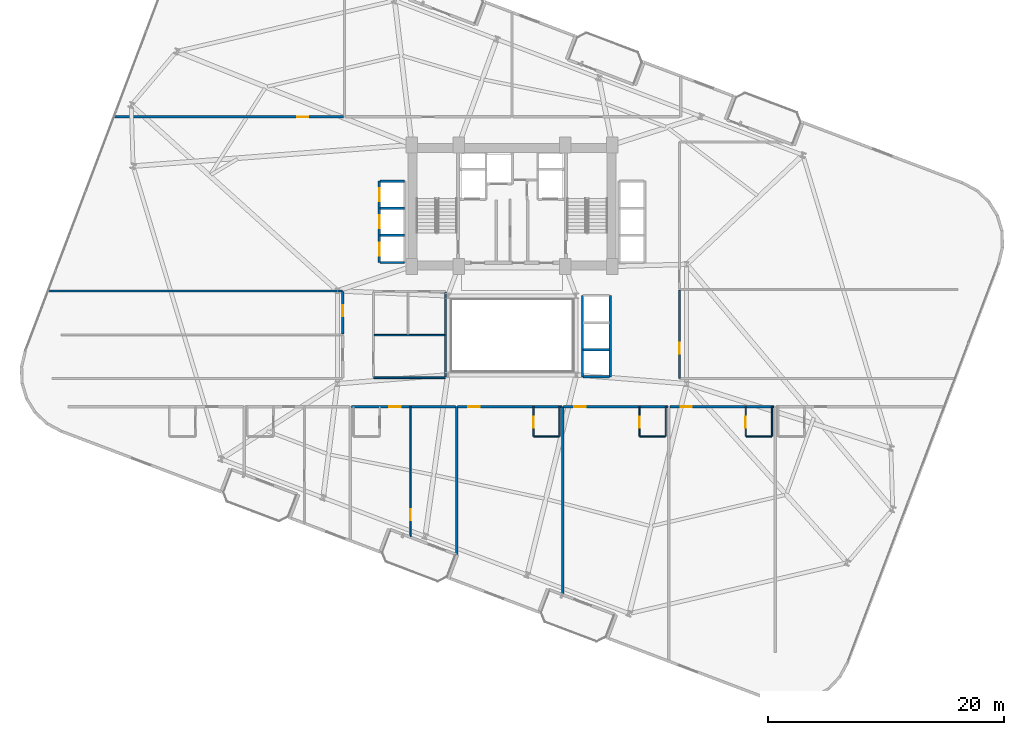
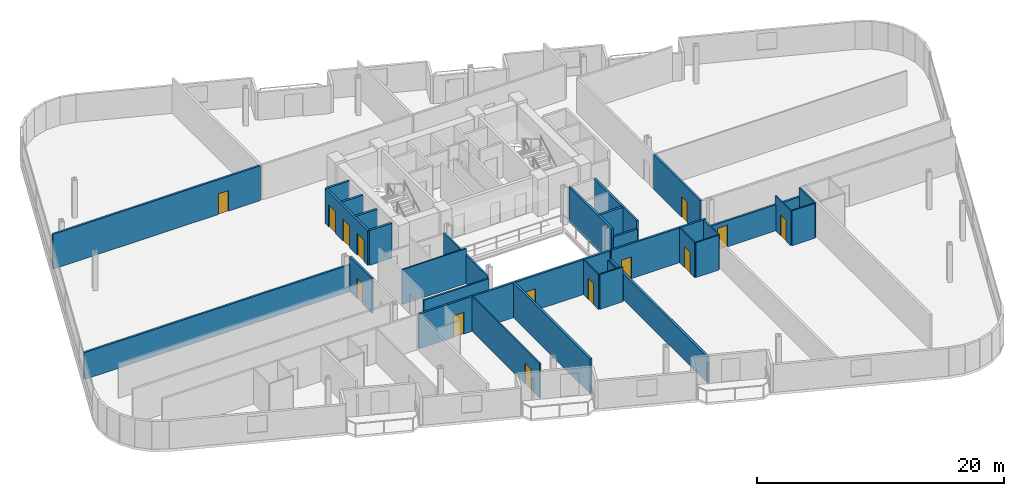
# One storey, part 18 of 25: 32 walls, 14 doors, 14 openings.
"""IFC4 building model written with IfcOpenShell, lengths in metres."""

from ifc_helpers import new_model, si_unit, direction, frame, frame_2d, origin, place, context, subcontext, project, spatial, rectangle, extrude, material, layer, layer_set, type_object, element, fill, save


model = new_model("IFC4")

# Units and contexts
model_context = context("Model", 3, precision=1e-05, world=origin(), true_north=direction((0.0, 1.0)))
body_context = subcontext(model_context, "Body", "Model", "MODEL_VIEW")
ifc_project = project(units=[si_unit("LENGTHUNIT", "METRE"), si_unit("AREAUNIT", "SQUARE_METRE"), si_unit("VOLUMEUNIT", "CUBIC_METRE"), si_unit("PLANEANGLEUNIT", "RADIAN"), si_unit("MASSUNIT", "GRAM", prefix="KILO")], contexts=[model_context])

# Site, building, storey
site_placement = place(None, origin())
site = spatial("IfcSite", under=ifc_project, at=site_placement, CompositionType="ELEMENT")
building_placement = place(site_placement, origin())
building = spatial("IfcBuilding", under=site, at=building_placement, Name="Varnelok Gate Tower", CompositionType="ELEMENT")
storey_placement = place(building_placement, frame((0.0, 0.0, 79.89990234375)))
storey = spatial("IfcBuildingStorey", under=building, at=storey_placement, Name="L19", CompositionType="ELEMENT", Elevation=79.89990234375)

# Wall, opening, door
ifc_material_1 = material(Name="Gypsum Plasterboard Acoustic Partition", Category="gypsum")
ifc_layer_1 = layer(ifc_material_1, 0.179931640625)
ifc_layer_set_1 = layer_set([ifc_layer_1], Name="Gypsum Plasterboard Acoustic Partition")
wall_type_1 = type_object("IfcWallType", Name="PW-CORR-180", PredefinedType="PARTITIONING", material=ifc_layer_set_1)
wall_1_placement = place(storey_placement, frame((25.580078125, 16.85009765625, 0.0), z_axis=(0.0, 0.0, 1.0), x_axis=(1.0, 0.0, 0.0)))
wall_1 = element("IfcWall", 1, at=wall_1_placement, inside=storey, type_object=wall_type_1, Name="Interior Partition", PredefinedType="PARTITIONING", context=body_context, shape_type="SweptSolid", body=[
    extrude(rectangle(XDim=8.83984375, YDim=0.179931640625, at=frame_2d((4.419921875, 0.0))), origin(), (0.0, 0.0, 1.0), 3.4501953125),
])
opening_1_placement = place(wall_1_placement, frame((3.22998046875, 0.0, 0.0)))
opening_1 = element("IfcOpeningElement", 2, at=opening_1_placement, cuts=wall_1, Name="Opening D-HT", PredefinedType="OPENING", context=body_context, shape_type="SweptSolid", body=[
    extrude(rectangle(XDim=0.949951171875, YDim=2.14990234375, at=frame_2d((0.47509765625, 1.074951171875))), frame((0.0, 0.099853515625, 0.0), z_axis=(0.0, -1.0, 0.0), x_axis=(1.0, 0.0, 0.0)), (0.0, 0.0, 1.0), 0.199951171875),
])
ifc_material_2 = material(Name="Engineered Hardwood Timber", Category="wood")
door_type_1 = type_object("IfcDoorType", Name="DR-HTL-950", OperationType="NOTDEFINED", PredefinedType="DOOR", material=ifc_material_2)
door_1_placement = place(opening_1_placement, origin())
door_1 = element("IfcDoor", 3, at=door_1_placement, inside=storey, type_object=door_type_1, Name="L19 Guest Room 03 Entrance Door", OperationType="SINGLE_SWING_RIGHT", OverallHeight=2.14990234375, OverallWidth=0.949951171875, PredefinedType="DOOR", context=body_context, shape_type="SweptSolid", body=[
    extrude(rectangle(XDim=0.949951171875, YDim=2.14990234375, at=frame_2d((0.47509765625, 1.074951171875))), frame((0.0, 0.02490234375, 0.0), z_axis=(0.0, -1.0, 0.0), x_axis=(1.0, 0.0, 0.0)), (0.0, 0.0, 1.0), 0.050048828125),
])
fill(opening_1, door_1)

wall_2_placement = place(storey_placement, frame((34.580078125, 16.85009765625, 0.0), z_axis=(0.0, 0.0, 1.0), x_axis=(1.0, 0.0, 0.0)))
wall_2 = element("IfcWall", 4, at=wall_2_placement, inside=storey, type_object=wall_type_1, Name="Interior Partition", PredefinedType="PARTITIONING", context=body_context, shape_type="SweptSolid", body=[
    extrude(rectangle(XDim=8.83984375, YDim=0.179931640625, at=frame_2d((4.419921875, 0.0))), origin(), (0.0, 0.0, 1.0), 3.4501953125),
])
opening_2_placement = place(wall_2_placement, frame((0.91796875, 0.0, 0.0)))
opening_2 = element("IfcOpeningElement", 5, at=opening_2_placement, cuts=wall_2, Name="Opening D-HT", PredefinedType="OPENING", context=body_context, shape_type="SweptSolid", body=[
    extrude(rectangle(XDim=0.949951171875, YDim=2.14990234375, at=frame_2d((0.47509765625, 1.074951171875))), frame((0.0, 0.099853515625, 0.0), z_axis=(0.0, -1.0, 0.0), x_axis=(1.0, 0.0, 0.0)), (0.0, 0.0, 1.0), 0.199951171875),
])
door_2_placement = place(opening_2_placement, origin())
door_2 = element("IfcDoor", 6, at=door_2_placement, inside=storey, type_object=door_type_1, Name="L19 Guest Room 04 Entrance Door", OperationType="SINGLE_SWING_LEFT", OverallHeight=2.14990234375, OverallWidth=0.949951171875, PredefinedType="DOOR", context=body_context, shape_type="SweptSolid", body=[
    extrude(rectangle(XDim=0.949951171875, YDim=2.14990234375, at=frame_2d((0.47509765625, 1.074951171875))), frame((0.0, 0.02490234375, 0.0), z_axis=(0.0, -1.0, 0.0), x_axis=(1.0, 0.0, 0.0)), (0.0, 0.0, 1.0), 0.050048828125),
])
fill(opening_2, door_2)

wall_3_placement = place(storey_placement, frame((43.580078125, 16.85009765625, 0.0), z_axis=(0.0, 0.0, 1.0), x_axis=(1.0, 0.0, 0.0)))
wall_3 = element("IfcWall", 7, at=wall_3_placement, inside=storey, type_object=wall_type_1, Name="Interior Partition", PredefinedType="PARTITIONING", context=body_context, shape_type="SweptSolid", body=[
    extrude(rectangle(XDim=8.83984375, YDim=0.179931640625, at=frame_2d((4.419921875, 0.0))), origin(), (0.0, 0.0, 1.0), 3.4501953125),
])
opening_3_placement = place(wall_3_placement, frame((0.91796875, 0.0, 0.0)))
opening_3 = element("IfcOpeningElement", 8, at=opening_3_placement, cuts=wall_3, Name="Opening D-HT", PredefinedType="OPENING", context=body_context, shape_type="SweptSolid", body=[
    extrude(rectangle(XDim=0.949951171875, YDim=2.14990234375, at=frame_2d((0.47509765625, 1.074951171875))), frame((0.0, 0.099853515625, 0.0), z_axis=(0.0, -1.0, 0.0), x_axis=(1.0, 0.0, 0.0)), (0.0, 0.0, 1.0), 0.199951171875),
])
door_3_placement = place(opening_3_placement, origin())
door_3 = element("IfcDoor", 9, at=door_3_placement, inside=storey, type_object=door_type_1, Name="L19 Guest Room 05 Entrance Door", OperationType="SINGLE_SWING_RIGHT", OverallHeight=2.14990234375, OverallWidth=0.949951171875, PredefinedType="DOOR", context=body_context, shape_type="SweptSolid", body=[
    extrude(rectangle(XDim=0.949951171875, YDim=2.14990234375, at=frame_2d((0.47509765625, 1.074951171875))), frame((0.0, 0.02490234375, 0.0), z_axis=(0.0, -1.0, 0.0), x_axis=(1.0, 0.0, 0.0)), (0.0, 0.0, 1.0), 0.050048828125),
])
fill(opening_3, door_3)

wall_4_placement = place(storey_placement, frame((52.580078125, 16.85009765625, 0.0), z_axis=(0.0, 0.0, 1.0), x_axis=(1.0, 0.0, 0.0)))
wall_4 = element("IfcWall", 10, at=wall_4_placement, inside=storey, type_object=wall_type_1, Name="Interior Partition", PredefinedType="PARTITIONING", context=body_context, shape_type="SweptSolid", body=[
    extrude(rectangle(XDim=8.83984375, YDim=0.179931640625, at=frame_2d((4.419921875, 0.0))), origin(), (0.0, 0.0, 1.0), 2.580078125),
])
opening_4_placement = place(wall_4_placement, frame((0.91796875, 0.0, 0.0)))
opening_4 = element("IfcOpeningElement", 11, at=opening_4_placement, cuts=wall_4, Name="Opening D-HT", PredefinedType="OPENING", context=body_context, shape_type="SweptSolid", body=[
    extrude(rectangle(XDim=0.949951171875, YDim=2.14990234375, at=frame_2d((0.47509765625, 1.074951171875))), frame((0.0, 0.099853515625, 0.0), z_axis=(0.0, -1.0, 0.0), x_axis=(1.0, 0.0, 0.0)), (0.0, 0.0, 1.0), 0.199951171875),
])
door_4_placement = place(opening_4_placement, origin())
door_4 = element("IfcDoor", 12, at=door_4_placement, inside=storey, type_object=door_type_1, Name="L19 Guest Room 06 Entrance Door", OperationType="SINGLE_SWING_LEFT", OverallHeight=2.14990234375, OverallWidth=0.949951171875, PredefinedType="DOOR", context=body_context, shape_type="SweptSolid", body=[
    extrude(rectangle(XDim=0.949951171875, YDim=2.14990234375, at=frame_2d((0.47509765625, 1.074951171875))), frame((0.0, 0.02490234375, 0.0), z_axis=(0.0, -1.0, 0.0), x_axis=(1.0, 0.0, 0.0)), (0.0, 0.0, 1.0), 0.050048828125),
])
fill(opening_4, door_4)

wall_5_placement = place(storey_placement, frame((5.505859375, 41.429931640625, 0.0), z_axis=(0.0, 0.0, 1.0), x_axis=(1.0, 0.0, 0.0)))
wall_5 = element("IfcWall", 13, at=wall_5_placement, inside=storey, type_object=wall_type_1, Name="Interior Partition", PredefinedType="PARTITIONING", context=body_context, shape_type="SweptSolid", body=[
    extrude(rectangle(XDim=19.4140625, YDim=0.179931640625, at=frame_2d((9.70703125, 0.0))), origin(), (0.0, 0.0, 1.0), 3.4501953125),
])
opening_5_placement = place(wall_5_placement, frame((15.46923828125, 0.0, 0.0)))
opening_5 = element("IfcOpeningElement", 14, at=opening_5_placement, cuts=wall_5, Name="Opening D-I2", PredefinedType="OPENING", context=body_context, shape_type="SweptSolid", body=[
    extrude(rectangle(XDim=0.949951171875, YDim=2.050048828125, at=frame_2d((0.47509765625, 1.02490234375))), frame((0.0, 0.099853515625, 0.0), z_axis=(0.0, -1.0, 0.0), x_axis=(1.0, 0.0, 0.0)), (0.0, 0.0, 1.0), 0.199951171875),
])
door_type_2 = type_object("IfcDoorType", Name="DR-INT-950", OperationType="NOTDEFINED", PredefinedType="DOOR", material=ifc_material_2)
door_5_placement = place(opening_5_placement, origin())
door_5 = element("IfcDoor", 15, at=door_5_placement, inside=storey, type_object=door_type_2, Name="L19 Spa Treatment Suite Door", OperationType="SINGLE_SWING_LEFT", OverallHeight=2.050048828125, OverallWidth=0.949951171875, PredefinedType="DOOR", context=body_context, shape_type="SweptSolid", body=[
    extrude(rectangle(XDim=0.949951171875, YDim=2.050048828125, at=frame_2d((0.47509765625, 1.02490234375))), frame((0.0, 0.02490234375, 0.0), z_axis=(0.0, -1.0, 0.0), x_axis=(1.0, 0.0, 0.0)), (0.0, 0.0, 1.0), 0.050048828125),
])
fill(opening_5, door_5)

wall_6_placement = place(storey_placement, frame((24.85009765625, 23.030029296875, 0.0), z_axis=(0.0, 0.0, 1.0), x_axis=(0.0, 1.0, 0.0)))
wall_6 = element("IfcWall", 16, at=wall_6_placement, inside=storey, type_object=wall_type_1, Name="Interior Partition", PredefinedType="PARTITIONING", context=body_context, shape_type="SweptSolid", body=[
    extrude(rectangle(XDim=3.570068359375, YDim=0.179931640625, at=frame_2d((1.78515625, 0.0))), origin(), (0.0, 0.0, 1.0), 3.4501953125),
])
opening_6_placement = place(wall_6_placement, frame((1.49951171875, 0.0, 0.0)))
opening_6 = element("IfcOpeningElement", 17, at=opening_6_placement, cuts=wall_6, Name="Opening D-I3", PredefinedType="OPENING", context=body_context, shape_type="SweptSolid", body=[
    extrude(rectangle(XDim=0.919921875, YDim=2.050048828125, at=frame_2d((0.4599609375, 1.02490234375))), frame((0.0, 0.099853515625, 0.0), z_axis=(0.0, -1.0, 0.0), x_axis=(1.0, 0.0, 0.0)), (0.0, 0.0, 1.0), 0.199951171875),
])
door_type_3 = type_object("IfcDoorType", Name="DR-INT-920", OperationType="NOTDEFINED", PredefinedType="DOOR", material=ifc_material_2)
door_6_placement = place(opening_6_placement, origin())
door_6 = element("IfcDoor", 18, at=door_6_placement, inside=storey, type_object=door_type_3, Name="L19 West Wing Room 2 Door", OperationType="SINGLE_SWING_RIGHT", OverallHeight=2.050048828125, OverallWidth=0.919921875, PredefinedType="DOOR", context=body_context, shape_type="SweptSolid", body=[
    extrude(rectangle(XDim=0.919921875, YDim=2.050048828125, at=frame_2d((0.4599609375, 1.02490234375))), frame((0.0, 0.02490234375, 0.0), z_axis=(0.0, -1.0, 0.0), x_axis=(1.0, 0.0, 0.0)), (0.0, 0.0, 1.0), 0.050048828125),
])
fill(opening_6, door_6)

# Wall
wall_7_placement = place(storey_placement, frame((-0.0859375, 26.659912109375, 0.0), z_axis=(0.0, 0.0, 1.0), x_axis=(1.0, 0.0, 0.0)))
element("IfcWall", 19, at=wall_7_placement, inside=storey, type_object=wall_type_1, Name="Interior Partition", PredefinedType="PARTITIONING", context=body_context, shape_type="SweptSolid", body=[
    extrude(rectangle(XDim=24.93603515625, YDim=0.179931640625, at=frame_2d((12.468017578125, 0.0))), origin(), (0.0, 0.0, 1.0), 2.662109375),
])

# Wall, opening, door
wall_8_placement = place(storey_placement, frame((53.389892578125, 19.239990234375, 0.0), z_axis=(0.0, 0.0, 1.0), x_axis=(0.0, 1.0, 0.0)))
wall_8 = element("IfcWall", 20, at=wall_8_placement, inside=storey, type_object=wall_type_1, Name="Interior Partition", PredefinedType="PARTITIONING", context=body_context, shape_type="SweptSolid", body=[
    extrude(rectangle(XDim=7.52001953125, YDim=0.179931640625, at=frame_2d((3.760009765625, 0.0))), origin(), (0.0, 0.0, 1.0), 3.4501953125),
])
opening_7_placement = place(wall_8_placement, frame((2.10009765625, 0.0, 0.0)))
opening_7 = element("IfcOpeningElement", 21, at=opening_7_placement, cuts=wall_8, Name="Opening D-I3", PredefinedType="OPENING", context=body_context, shape_type="SweptSolid", body=[
    extrude(rectangle(XDim=0.919921875, YDim=2.050048828125, at=frame_2d((0.4599609375, 1.02490234375))), frame((0.0, 0.099853515625, 0.0), z_axis=(0.0, -1.0, 0.0), x_axis=(1.0, 0.0, 0.0)), (0.0, 0.0, 1.0), 0.199951171875),
])
door_7_placement = place(opening_7_placement, origin())
door_7 = element("IfcDoor", 22, at=door_7_placement, inside=storey, type_object=door_type_3, Name="L19 East Studio Door", OperationType="SINGLE_SWING_RIGHT", OverallHeight=2.050048828125, OverallWidth=0.919921875, PredefinedType="DOOR", context=body_context, shape_type="SweptSolid", body=[
    extrude(rectangle(XDim=0.919921875, YDim=2.050048828125, at=frame_2d((0.4599609375, 1.02490234375))), frame((0.0, 0.02490234375, 0.0), z_axis=(0.0, -1.0, 0.0), x_axis=(1.0, 0.0, 0.0)), (0.0, 0.0, 1.0), 0.050048828125),
])
fill(opening_7, door_7)

# Wall
ifc_layer_2 = layer(ifc_material_1, 0.114990234375)
ifc_layer_set_2 = layer_set([ifc_layer_2], Name="Gypsum Plasterboard Acoustic Partition")
wall_type_2 = type_object("IfcWallType", Name="PW-ENS-125", PredefinedType="PARTITIONING", material=ifc_layer_set_2)
wall_9_placement = place(storey_placement, frame((41.050048828125, 14.330078125, 0.0), z_axis=(0.0, 0.0, 1.0), x_axis=(1.0, 0.0, 0.0)))
element("IfcWall", 23, at=wall_9_placement, inside=storey, type_object=wall_type_2, Name="Interior Partition", PredefinedType="PARTITIONING", context=body_context, shape_type="SweptSolid", body=[
    extrude(rectangle(XDim=2.14990234375, YDim=0.114990234375, at=frame_2d((1.074951171875, 0.0))), origin(), (0.0, 0.0, 1.0), 3.4501953125),
])

# Wall, opening, door
wall_10_placement = place(storey_placement, frame((41.010009765625, 14.330078125, 0.0), z_axis=(0.0, 0.0, 1.0), x_axis=(0.0, 1.0, 0.0)))
wall_10 = element("IfcWall", 24, at=wall_10_placement, inside=storey, type_object=wall_type_2, Name="Interior Partition", PredefinedType="PARTITIONING", context=body_context, shape_type="SweptSolid", body=[
    extrude(rectangle(XDim=2.52001953125, YDim=0.114990234375, at=frame_2d((1.260009765625, 0.0))), origin(), (0.0, 0.0, 1.0), 3.4501953125),
])
opening_8_placement = place(wall_10_placement, frame((0.760009765625, 0.0, 0.0)))
opening_8 = element("IfcOpeningElement", 25, at=opening_8_placement, cuts=wall_10, Name="Opening D-WC", PredefinedType="OPENING", context=body_context, shape_type="SweptSolid", body=[
    extrude(rectangle(XDim=0.89990234375, YDim=2.050048828125, at=frame_2d((0.449951171875, 1.02490234375))), frame((0.0, 0.0673828125, 0.0), z_axis=(0.0, -1.0, 0.0), x_axis=(1.0, 0.0, 0.0)), (0.0, 0.0, 1.0), 0.135009765625),
])
door_type_4 = type_object("IfcDoorType", Name="DR-BATH-900", OperationType="NOTDEFINED", PredefinedType="DOOR", material=ifc_material_2)
door_8_placement = place(opening_8_placement, origin())
door_8 = element("IfcDoor", 26, at=door_8_placement, inside=storey, type_object=door_type_4, Name="L19 Guest En-Suite 04 Door", OperationType="SINGLE_SWING_RIGHT", OverallHeight=2.050048828125, OverallWidth=0.89990234375, PredefinedType="DOOR", context=body_context, shape_type="SweptSolid", body=[
    extrude(rectangle(XDim=0.89990234375, YDim=2.050048828125, at=frame_2d((0.449951171875, 1.02490234375))), frame((0.0, 0.02490234375, 0.0), z_axis=(0.0, -1.0, 0.0), x_axis=(1.0, 0.0, 0.0)), (0.0, 0.0, 1.0), 0.050048828125),
])
fill(opening_8, door_8)

# Walls
wall_11_placement = place(storey_placement, frame((43.239990234375, 14.330078125, 0.0), z_axis=(0.0, 0.0, 1.0), x_axis=(0.0, 1.0, 0.0)))
element("IfcWall", 27, at=wall_11_placement, inside=storey, type_object=wall_type_2, Name="Interior Partition", PredefinedType="PARTITIONING", context=body_context, shape_type="SweptSolid", body=[
    extrude(rectangle(XDim=2.52001953125, YDim=0.114990234375, at=frame_2d((1.260009765625, 0.0))), origin(), (0.0, 0.0, 1.0), 2.580078125),
])
wall_12_placement = place(storey_placement, frame((50.050048828125, 14.330078125, 0.0), z_axis=(0.0, 0.0, 1.0), x_axis=(1.0, 0.0, 0.0)))
element("IfcWall", 28, at=wall_12_placement, inside=storey, type_object=wall_type_2, Name="Interior Partition", PredefinedType="PARTITIONING", context=body_context, shape_type="SweptSolid", body=[
    extrude(rectangle(XDim=2.14990234375, YDim=0.114990234375, at=frame_2d((1.074951171875, 0.0))), origin(), (0.0, 0.0, 1.0), 3.4501953125),
])

# Wall, opening, door
wall_13_placement = place(storey_placement, frame((50.010009765625, 14.330078125, 0.0), z_axis=(0.0, 0.0, 1.0), x_axis=(0.0, 1.0, 0.0)))
wall_13 = element("IfcWall", 29, at=wall_13_placement, inside=storey, type_object=wall_type_2, Name="Interior Partition", PredefinedType="PARTITIONING", context=body_context, shape_type="SweptSolid", body=[
    extrude(rectangle(XDim=2.52001953125, YDim=0.114990234375, at=frame_2d((1.260009765625, 0.0))), origin(), (0.0, 0.0, 1.0), 3.4501953125),
])
opening_9_placement = place(wall_13_placement, frame((0.760009765625, 0.0, 0.0)))
opening_9 = element("IfcOpeningElement", 30, at=opening_9_placement, cuts=wall_13, Name="Opening D-WC", PredefinedType="OPENING", context=body_context, shape_type="SweptSolid", body=[
    extrude(rectangle(XDim=0.89990234375, YDim=2.050048828125, at=frame_2d((0.449951171875, 1.02490234375))), frame((0.0, 0.0673828125, 0.0), z_axis=(0.0, -1.0, 0.0), x_axis=(1.0, 0.0, 0.0)), (0.0, 0.0, 1.0), 0.135009765625),
])
door_9_placement = place(opening_9_placement, origin())
door_9 = element("IfcDoor", 31, at=door_9_placement, inside=storey, type_object=door_type_4, Name="L19 Guest En-Suite 05 Door", OperationType="SINGLE_SWING_RIGHT", OverallHeight=2.050048828125, OverallWidth=0.89990234375, PredefinedType="DOOR", context=body_context, shape_type="SweptSolid", body=[
    extrude(rectangle(XDim=0.89990234375, YDim=2.050048828125, at=frame_2d((0.449951171875, 1.02490234375))), frame((0.0, 0.02490234375, 0.0), z_axis=(0.0, -1.0, 0.0), x_axis=(1.0, 0.0, 0.0)), (0.0, 0.0, 1.0), 0.050048828125),
])
fill(opening_9, door_9)

# Walls
wall_14_placement = place(storey_placement, frame((52.239990234375, 14.330078125, 0.0), z_axis=(0.0, 0.0, 1.0), x_axis=(0.0, 1.0, 0.0)))
element("IfcWall", 32, at=wall_14_placement, inside=storey, type_object=wall_type_2, Name="Interior Partition", PredefinedType="PARTITIONING", context=body_context, shape_type="SweptSolid", body=[
    extrude(rectangle(XDim=2.52001953125, YDim=0.114990234375, at=frame_2d((1.260009765625, 0.0))), origin(), (0.0, 0.0, 1.0), 3.4501953125),
])
wall_15_placement = place(storey_placement, frame((59.050048828125, 14.330078125, 0.0), z_axis=(0.0, 0.0, 1.0), x_axis=(1.0, 0.0, 0.0)))
element("IfcWall", 33, at=wall_15_placement, inside=storey, type_object=wall_type_2, Name="Interior Partition", PredefinedType="PARTITIONING", context=body_context, shape_type="SweptSolid", body=[
    extrude(rectangle(XDim=2.14990234375, YDim=0.114990234375, at=frame_2d((1.074951171875, 0.0))), origin(), (0.0, 0.0, 1.0), 3.4501953125),
])

# Wall, opening, door
wall_16_placement = place(storey_placement, frame((59.010009765625, 14.330078125, 0.0), z_axis=(0.0, 0.0, 1.0), x_axis=(0.0, 1.0, 0.0)))
wall_16 = element("IfcWall", 34, at=wall_16_placement, inside=storey, type_object=wall_type_2, Name="Interior Partition", PredefinedType="PARTITIONING", context=body_context, shape_type="SweptSolid", body=[
    extrude(rectangle(XDim=2.52001953125, YDim=0.114990234375, at=frame_2d((1.260009765625, 0.0))), origin(), (0.0, 0.0, 1.0), 3.4501953125),
])
opening_10_placement = place(wall_16_placement, frame((0.760009765625, 0.0, 0.0)))
opening_10 = element("IfcOpeningElement", 35, at=opening_10_placement, cuts=wall_16, Name="Opening D-WC", PredefinedType="OPENING", context=body_context, shape_type="SweptSolid", body=[
    extrude(rectangle(XDim=0.89990234375, YDim=2.050048828125, at=frame_2d((0.449951171875, 1.02490234375))), frame((0.0, 0.0673828125, 0.0), z_axis=(0.0, -1.0, 0.0), x_axis=(1.0, 0.0, 0.0)), (0.0, 0.0, 1.0), 0.135009765625),
])
door_10_placement = place(opening_10_placement, origin())
door_10 = element("IfcDoor", 36, at=door_10_placement, inside=storey, type_object=door_type_4, Name="L19 Guest En-Suite 06 Door", OperationType="SINGLE_SWING_RIGHT", OverallHeight=2.050048828125, OverallWidth=0.89990234375, PredefinedType="DOOR", context=body_context, shape_type="SweptSolid", body=[
    extrude(rectangle(XDim=0.89990234375, YDim=2.050048828125, at=frame_2d((0.449951171875, 1.02490234375))), frame((0.0, 0.02490234375, 0.0), z_axis=(0.0, -1.0, 0.0), x_axis=(1.0, 0.0, 0.0)), (0.0, 0.0, 1.0), 0.050048828125),
])
fill(opening_10, door_10)

# Wall
wall_17_placement = place(storey_placement, frame((61.239990234375, 14.330078125, 0.0), z_axis=(0.0, 0.0, 1.0), x_axis=(0.0, 1.0, 0.0)))
element("IfcWall", 37, at=wall_17_placement, inside=storey, type_object=wall_type_2, Name="Interior Partition", PredefinedType="PARTITIONING", context=body_context, shape_type="SweptSolid", body=[
    extrude(rectangle(XDim=2.52001953125, YDim=0.114990234375, at=frame_2d((1.260009765625, 0.0))), origin(), (0.0, 0.0, 1.0), 3.4501953125),
])

# Wall, opening, door
ifc_layer_3 = layer(ifc_material_1, 0.125)
ifc_layer_set_3 = layer_set([ifc_layer_3], Name="Gypsum Plasterboard Acoustic Partition")
wall_type_3 = type_object("IfcWallType", Name="PW-PART-125", PredefinedType="PARTITIONING", material=ifc_layer_set_3)
wall_18_placement = place(storey_placement, frame((30.60009765625, 5.8232421875, 0.0), z_axis=(0.0, 0.0, 1.0), x_axis=(0.0, 1.0, 0.0)))
wall_18 = element("IfcWall", 38, at=wall_18_placement, inside=storey, type_object=wall_type_3, Name="Interior Partition", PredefinedType="PARTITIONING", context=body_context, shape_type="SweptSolid", body=[
    extrude(rectangle(XDim=11.02685546875, YDim=0.125, at=frame_2d((5.513427734375, 0.0))), origin(), (0.0, 0.0, 1.0), 3.4501953125),
])
opening_11_placement = place(wall_18_placement, frame((1.42041015625, 0.0, 0.0)))
opening_11 = element("IfcOpeningElement", 39, at=opening_11_placement, cuts=wall_18, Name="Opening D-I3", PredefinedType="OPENING", context=body_context, shape_type="SweptSolid", body=[
    extrude(rectangle(XDim=0.919921875, YDim=2.050048828125, at=frame_2d((0.4599609375, 1.02490234375))), frame((0.0, 0.072509765625, 0.0), z_axis=(0.0, -1.0, 0.0), x_axis=(1.0, 0.0, 0.0)), (0.0, 0.0, 1.0), 0.14501953125),
])
door_11_placement = place(opening_11_placement, origin())
door_11 = element("IfcDoor", 40, at=door_11_placement, inside=storey, type_object=door_type_3, Name="L19 Suite Bedroom Door 3", OperationType="SINGLE_SWING_LEFT", OverallHeight=2.050048828125, OverallWidth=0.919921875, PredefinedType="DOOR", context=body_context, shape_type="SweptSolid", body=[
    extrude(rectangle(XDim=0.919921875, YDim=2.050048828125, at=frame_2d((0.4599609375, 1.02490234375))), frame((0.0, 0.02490234375, 0.0), z_axis=(0.0, -1.0, 0.0), x_axis=(1.0, 0.0, 0.0)), (0.0, 0.0, 1.0), 0.050048828125),
])
fill(opening_11, door_11)

# Walls
wall_19_placement = place(storey_placement, frame((27.52001953125, 22.929931640625, 0.0), z_axis=(0.0, 0.0, 1.0), x_axis=(1.0, 0.0, 0.0)))
element("IfcWall", 41, at=wall_19_placement, inside=storey, type_object=wall_type_3, Name="Interior Partition", PredefinedType="PARTITIONING", context=body_context, shape_type="SweptSolid", body=[
    extrude(rectangle(XDim=6.0, YDim=0.125, at=frame_2d((3.0, 0.0))), origin(), (0.0, 0.0, 1.0), 3.4501953125),
])
ifc_layer_4 = layer(ifc_material_1, 0.14990234375)
ifc_layer_set_4 = layer_set([ifc_layer_4], Name="Gypsum Plasterboard Acoustic Partition")
wall_type_4 = type_object("IfcWallType", Name="PW-PART-150", PredefinedType="PARTITIONING", material=ifc_layer_set_4)
wall_20_placement = place(storey_placement, frame((27.4599609375, 19.300048828125, 0.0), z_axis=(0.0, 0.0, 1.0), x_axis=(1.0, 0.0, 0.0)))
element("IfcWall", 42, at=wall_20_placement, inside=storey, type_object=wall_type_4, Name="Interior Partition", PredefinedType="PARTITIONING", context=body_context, shape_type="SweptSolid", body=[
    extrude(rectangle(XDim=6.10009765625, YDim=0.14990234375, at=frame_2d((3.050048828125, 0.0))), origin(), (0.0, 0.0, 1.0), 2.662109375),
])
wall_21_placement = place(storey_placement, frame((33.56005859375, 19.3798828125, 0.0), z_axis=(0.0, 0.0, 1.0), x_axis=(0.0, 1.0, 0.0)))
element("IfcWall", 43, at=wall_21_placement, inside=storey, type_object=wall_type_4, Name="Interior Partition", PredefinedType="PARTITIONING", context=body_context, shape_type="SweptSolid", body=[
    extrude(rectangle(XDim=7.16015625, YDim=0.14990234375, at=frame_2d((3.580078125, 0.0))), origin(), (0.0, 0.0, 1.0), 2.82421875),
])
ifc_layer_5 = layer(ifc_material_1, 0.205078125)
ifc_layer_set_5 = layer_set([ifc_layer_5], Name="Gypsum Plasterboard Acoustic Partition")
wall_type_5 = type_object("IfcWallType", Name="PW-PARTY-200", PredefinedType="PARTITIONING", material=ifc_layer_set_5)
wall_22_placement = place(storey_placement, frame((34.5, 4.344482421875, 0.0), z_axis=(0.0, 0.0, 1.0), x_axis=(0.0, 1.0, 0.0)))
element("IfcWall", 44, at=wall_22_placement, inside=storey, type_object=wall_type_5, Name="L19 South Party Wall 3", PredefinedType="PARTITIONING", context=body_context, shape_type="SweptSolid", body=[
    extrude(rectangle(XDim=12.505615234375, YDim=0.205078125, at=frame_2d((6.2529296875, 0.0))), origin(), (0.0, 0.0, 1.0), 3.4501953125),
])
wall_23_placement = place(storey_placement, frame((43.5, 0.939453125, 0.0), z_axis=(0.0, 0.0, 1.0), x_axis=(0.0, 1.0, 0.0)))
element("IfcWall", 45, at=wall_23_placement, inside=storey, type_object=wall_type_5, Name="L19 South Party Wall 4", PredefinedType="PARTITIONING", context=body_context, shape_type="SweptSolid", body=[
    extrude(rectangle(XDim=15.91064453125, YDim=0.205078125, at=frame_2d((7.955322265625, 0.0))), origin(), (0.0, 0.0, 1.0), 2.580078125),
])
ifc_material_3 = material(Name="Concrete C35/45", Category="concrete")
ifc_layer_6 = layer(ifc_material_3, 0.199951171875)
ifc_layer_set_6 = layer_set([ifc_layer_6], Name="Concrete C35/45")
wall_type_6 = type_object("IfcWallType", Name="PW-SHAFT-200", PredefinedType="PARTITIONING", material=ifc_layer_set_6)
for number, where, z_axis, x_axis, name in (
    (46, (28.02001953125, 31.375, 0.0), (0.0, 0.0, 1.0), (1.0, 0.0, 0.0), "L19 PL1 Divider"),
    (47, (28.02001953125, 33.675048828125, 0.0), (0.0, 0.0, 1.0), (1.0, 0.0, 0.0), "L19 PL2 Divider"),
):
    element("IfcWall", number, at=place(storey_placement, frame(where, z_axis=z_axis, x_axis=x_axis)), inside=storey, type_object=wall_type_6, Name=name, PredefinedType="PARTITIONING", context=body_context, shape_type="SweptSolid", body=[
        extrude(rectangle(XDim=2.06005859375, YDim=0.199951171875, at=frame_2d((1.030029296875, 0.0))), origin(), (0.0, 0.0, 1.0), 3.4501953125),
    ])
for number, where, z_axis, x_axis, name in (
    (48, (28.0, 29.080078125, 0.0), (0.0, 0.0, 1.0), (1.0, 0.0, 0.0), "L19 PL Bank South Wall"),
    (49, (28.0, 35.969970703125, 0.0), (0.0, 0.0, 1.0), (1.0, 0.0, 0.0), "L19 PL Bank North Wall"),
):
    element("IfcWall", number, at=place(storey_placement, frame(where, z_axis=z_axis, x_axis=x_axis)), inside=storey, type_object=wall_type_6, Name=name, PredefinedType="PARTITIONING", context=body_context, shape_type="SweptSolid", body=[
        extrude(rectangle(XDim=2.10009765625, YDim=0.199951171875, at=frame_2d((1.050048828125, 0.0))), origin(), (0.0, 0.0, 1.0), 3.4501953125),
    ])

# Wall, openings, doors
wall_24_placement = place(storey_placement, frame((27.9599609375, 29.080078125, 0.0), z_axis=(0.0, 0.0, 1.0), x_axis=(0.0, 1.0, 0.0)))
wall_24 = element("IfcWall", 50, at=wall_24_placement, inside=storey, type_object=wall_type_6, Name="L19 PL Bank Front Wall", PredefinedType="PARTITIONING", context=body_context, shape_type="SweptSolid", body=[
    extrude(rectangle(XDim=6.889892578125, YDim=0.199951171875, at=frame_2d((3.44482421875, 0.0))), origin(), (0.0, 0.0, 1.0), 3.4501953125),
])
opening_12_placement = place(wall_24_placement, frame((0.590087890625, 0.0, 0.0)))
opening_12 = element("IfcOpeningElement", 51, at=opening_12_placement, cuts=wall_24, Name="Opening LD-PL1", PredefinedType="OPENING", context=body_context, shape_type="SweptSolid", body=[
    extrude(rectangle(XDim=1.10009765625, YDim=2.14990234375, at=frame_2d((0.550048828125, 1.074951171875))), frame((0.0, 0.10986328125, 0.0), z_axis=(0.0, -1.0, 0.0), x_axis=(1.0, 0.0, 0.0)), (0.0, 0.0, 1.0), 0.219970703125),
])
opening_13_placement = place(wall_24_placement, frame((2.889892578125, 0.0, 0.0)))
opening_13 = element("IfcOpeningElement", 52, at=opening_13_placement, cuts=wall_24, Name="Opening LD-PL2", PredefinedType="OPENING", context=body_context, shape_type="SweptSolid", body=[
    extrude(rectangle(XDim=1.10009765625, YDim=2.14990234375, at=frame_2d((0.550048828125, 1.074951171875))), frame((0.0, 0.10986328125, 0.0), z_axis=(0.0, -1.0, 0.0), x_axis=(1.0, 0.0, 0.0)), (0.0, 0.0, 1.0), 0.219970703125),
])
opening_14_placement = place(wall_24_placement, frame((5.18994140625, 0.0, 0.0)))
opening_14 = element("IfcOpeningElement", 53, at=opening_14_placement, cuts=wall_24, Name="Opening LD-PL3", PredefinedType="OPENING", context=body_context, shape_type="SweptSolid", body=[
    extrude(rectangle(XDim=1.10009765625, YDim=2.14990234375, at=frame_2d((0.550048828125, 1.074951171875))), frame((0.0, 0.10986328125, 0.0), z_axis=(0.0, -1.0, 0.0), x_axis=(1.0, 0.0, 0.0)), (0.0, 0.0, 1.0), 0.219970703125),
])
ifc_material_4 = material(Name="Galvanized Steel Grade S350GD", Category="steel")
door_type_5 = type_object("IfcDoorType", Name="DR-LIFT-PAX1100", OperationType="SLIDING_TO_LEFT", PredefinedType="DOOR", material=ifc_material_4)
door_12_placement = place(opening_12_placement, origin())
door_12 = element("IfcDoor", 54, at=door_12_placement, inside=storey, type_object=door_type_5, Name="L19 Passenger Lift Landing Door LD-PL1", OperationType="SLIDING_TO_LEFT", OverallHeight=2.14990234375, OverallWidth=1.10009765625, PredefinedType="DOOR", context=body_context, shape_type="SweptSolid", body=[
    extrude(rectangle(XDim=1.10009765625, YDim=2.14990234375, at=frame_2d((0.550048828125, 1.074951171875))), frame((0.0, 0.02490234375, 0.0), z_axis=(0.0, -1.0, 0.0), x_axis=(1.0, 0.0, 0.0)), (0.0, 0.0, 1.0), 0.050048828125),
])
fill(opening_12, door_12)
door_13_placement = place(opening_13_placement, origin())
door_13 = element("IfcDoor", 55, at=door_13_placement, inside=storey, type_object=door_type_5, Name="L19 Passenger Lift Landing Door LD-PL2", OperationType="SLIDING_TO_LEFT", OverallHeight=2.14990234375, OverallWidth=1.10009765625, PredefinedType="DOOR", context=body_context, shape_type="SweptSolid", body=[
    extrude(rectangle(XDim=1.10009765625, YDim=2.14990234375, at=frame_2d((0.550048828125, 1.074951171875))), frame((0.0, 0.02490234375, 0.0), z_axis=(0.0, -1.0, 0.0), x_axis=(1.0, 0.0, 0.0)), (0.0, 0.0, 1.0), 0.050048828125),
])
fill(opening_13, door_13)
door_14_placement = place(opening_14_placement, origin())
door_14 = element("IfcDoor", 56, at=door_14_placement, inside=storey, type_object=door_type_5, Name="L19 Passenger Lift Landing Door LD-PL3", OperationType="SLIDING_TO_LEFT", OverallHeight=2.14990234375, OverallWidth=1.10009765625, PredefinedType="DOOR", context=body_context, shape_type="SweptSolid", body=[
    extrude(rectangle(XDim=1.10009765625, YDim=2.14990234375, at=frame_2d((0.550048828125, 1.074951171875))), frame((0.0, 0.02490234375, 0.0), z_axis=(0.0, -1.0, 0.0), x_axis=(1.0, 0.0, 0.0)), (0.0, 0.0, 1.0), 0.050048828125),
])
fill(opening_14, door_14)

# Walls
wall_25_placement = place(storey_placement, frame((45.239990234375, 21.675048828125, 0.0), z_axis=(0.0, 0.0, 1.0), x_axis=(1.0, 0.0, 0.0)))
element("IfcWall", 57, at=wall_25_placement, inside=storey, type_object=wall_type_6, Name="L19 PH1 Divider", PredefinedType="PARTITIONING", context=body_context, shape_type="SweptSolid", body=[
    extrude(rectangle(XDim=2.219970703125, YDim=0.199951171875, at=frame_2d((1.10986328125, 0.0))), origin(), (0.0, 0.0, 1.0), 3.4501953125),
])
wall_26_placement = place(storey_placement, frame((45.239990234375, 19.3798828125, 0.0), z_axis=(0.0, 0.0, 1.0), x_axis=(1.0, 0.0, 0.0)))
element("IfcWall", 58, at=wall_26_placement, inside=storey, type_object=wall_type_6, Name="L19 PH Bank South Wall", PredefinedType="PARTITIONING", context=body_context, shape_type="SweptSolid", body=[
    extrude(rectangle(XDim=2.219970703125, YDim=0.199951171875, at=frame_2d((1.10986328125, 0.0))), origin(), (0.0, 0.0, 1.0), 2.662109375),
])
for number, where, z_axis, x_axis, name in (
    (59, (45.179931640625, 19.3798828125, 0.0), (0.0, 0.0, 1.0), (0.0, 1.0, 0.0), "L19 PH Bank Atrium Wall"),
    (60, (47.52001953125, 19.3798828125, 0.0), (0.0, 0.0, 1.0), (0.0, 1.0, 0.0), "L19 PH Bank Front Wall"),
):
    element("IfcWall", number, at=place(storey_placement, frame(where, z_axis=z_axis, x_axis=x_axis)), inside=storey, type_object=wall_type_6, Name=name, PredefinedType="PARTITIONING", context=body_context, shape_type="SweptSolid", body=[
        extrude(rectangle(XDim=6.900146484375, YDim=0.199951171875, at=frame_2d((3.4501953125, 0.0))), origin(), (0.0, 0.0, 1.0), 3.4501953125),
    ])

save(model, "model.ifc")
